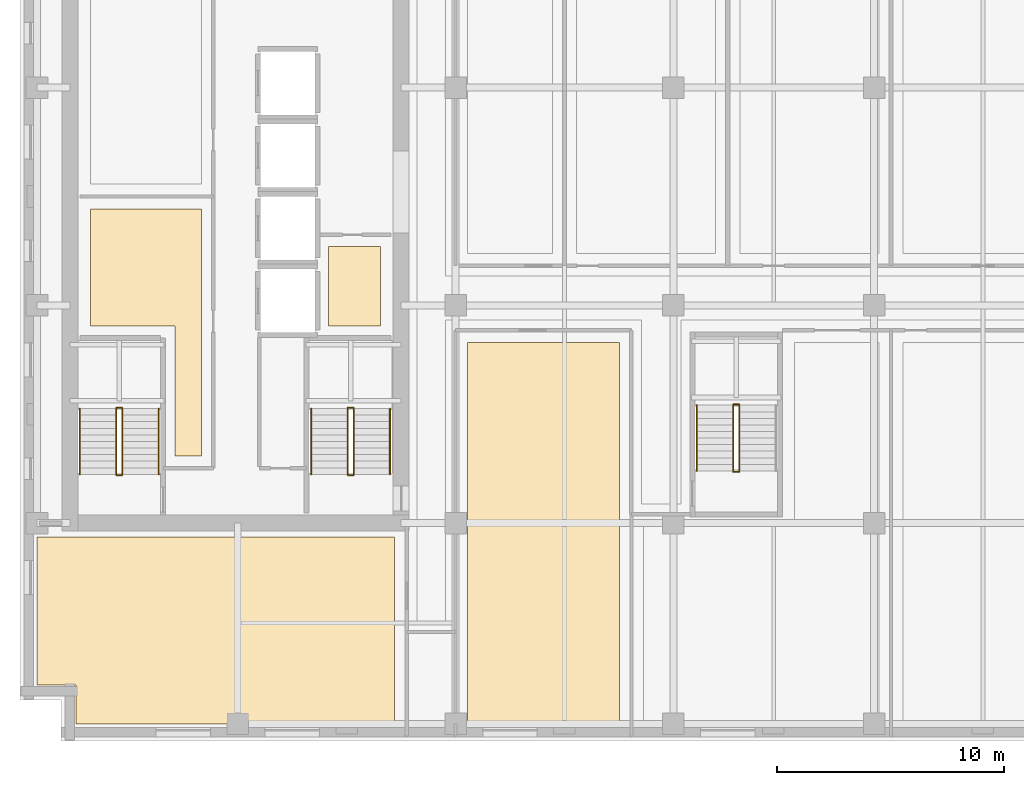
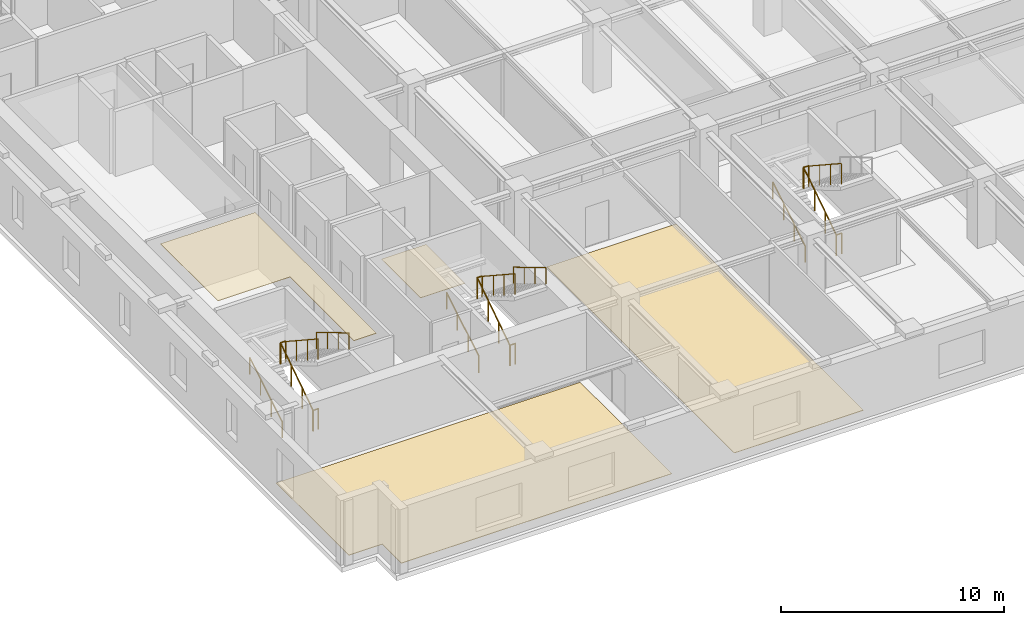
# One storey, part 9 of 13: 17 railings, 4 coverings.
"""IFC4 building model written with IfcOpenShell, lengths in metres."""

from ifc_helpers import new_model, si_unit, direction, frame, origin, origin_2d, place, context, subcontext, project, spatial, polyline, circle, outline, extrude, material, layer, layer_set, type_object, element, save


model = new_model("IFC4")

# Units and contexts
model_context = context("Model", 3, precision=1e-05, world=origin(), true_north=direction((0.0, 1.0)))
body_context = subcontext(model_context, "Body", "Model", "MODEL_VIEW")
ifc_project = project(units=[si_unit("LENGTHUNIT", "METRE"), si_unit("AREAUNIT", "SQUARE_METRE"), si_unit("VOLUMEUNIT", "CUBIC_METRE"), si_unit("PLANEANGLEUNIT", "RADIAN"), si_unit("MASSUNIT", "GRAM", prefix="KILO")], contexts=[model_context])

# Site, building, storey
site_placement = place(None, origin())
site = spatial("IfcSite", under=ifc_project, at=site_placement, CompositionType="ELEMENT")
building_placement = place(site_placement, origin())
building = spatial("IfcBuilding", under=site, at=building_placement, Name="Norrvale University Quadrangle", CompositionType="ELEMENT")
storey_placement = place(building_placement, frame((0.0, 0.0, 178.800048828125)))
storey = spatial("IfcBuildingStorey", under=building, at=storey_placement, Name="L45", CompositionType="ELEMENT", Elevation=178.800048828125)

# Coverings
ifc_material_1 = material(Name="Perforated Acoustic Mineral Ceiling")
ifc_layer_1 = layer(ifc_material_1, 0.02490234375, Name="Perforated Acoustic Mineral Ceiling")
ifc_layer_set_1 = layer_set([ifc_layer_1], Name="Perforated Acoustic Mineral Ceiling")
covering_type_1 = type_object("IfcCoveringType", Name="Covering Acoustic Ceiling 25", PredefinedType="CEILING", material=ifc_layer_set_1)
covering_1_placement = place(storey_placement, frame((0.0, 0.0, 3.514892578125)))
element("IfcCovering", 1, at=covering_1_placement, inside=storey, type_object=covering_type_1, Name="Acoustic Ceiling RM-L45-REC1", PredefinedType="CEILING", context=body_context, shape_type="SweptSolid", body=[
    extrude(outline(polyline([(3.10009765625, 18.300048828125), (3.10009765625, 23.449951171875), (8.0, 23.449951171875), (8.0, 12.550048828125), (6.830078125, 12.550048828125), (6.830078125, 18.300048828125), (3.10009765625, 18.300048828125)])), origin(), (0.0, 0.0, 1.0), 0.025146484375),
])
ifc_material_2 = material(Name="Polished Terrazzo Flooring")
ifc_layer_2 = layer(ifc_material_2, 0.02490234375, Name="Polished Terrazzo Flooring")
ifc_layer_set_2 = layer_set([ifc_layer_2], Name="Polished Terrazzo Flooring")
covering_type_2 = type_object("IfcCoveringType", Name="Covering Terrazzo Floor 30", PredefinedType="FLOORING", material=ifc_layer_set_2)
covering_2_placement = place(storey_placement, origin())
element("IfcCovering", 2, at=covering_2_placement, inside=storey, type_object=covering_type_2, Name="Terrazzo Flooring RM-L45-JAN", PredefinedType="FLOORING", context=body_context, shape_type="SweptSolid", body=[
    extrude(outline(polyline([(13.60009765625, 18.300048828125), (13.60009765625, 21.800048828125), (15.89990234375, 21.800048828125), (15.89990234375, 18.300048828125), (13.60009765625, 18.300048828125)])), origin(), (0.0, 0.0, 1.0), 0.02490234375),
])
covering_3_placement = place(storey_placement, origin())
element("IfcCovering", 3, at=covering_3_placement, inside=storey, type_object=covering_type_2, Name="Terrazzo Flooring RM-L45-SW1", PredefinedType="FLOORING", context=body_context, shape_type="SweptSolid", body=[
    extrude(outline(polyline([(0.75, 9.0), (16.5, 9.0), (16.5, 0.75), (2.469970703125, 0.75), (2.469970703125, 2.469970703125), (0.75, 2.469970703125), (0.75, 9.0)])), origin(), (0.0, 0.0, 1.0), 0.02490234375),
])
covering_4_placement = place(storey_placement, origin())
element("IfcCovering", 4, at=covering_4_placement, inside=storey, type_object=covering_type_2, Name="Terrazzo Flooring RM-L45-SE1", PredefinedType="FLOORING", context=body_context, shape_type="SweptSolid", body=[
    extrude(outline(polyline([(19.72998046875, 17.570068359375), (26.419921875, 17.570068359375), (26.419921875, 0.75), (19.72998046875, 0.75), (19.72998046875, 17.570068359375)])), origin(), (0.0, 0.0, 1.0), 0.02490234375),
])

# Railings
ifc_material_3 = material(Name="Steel 350W Painted Balustrade", Category="steel")
railing_type_1 = type_object("IfcRailingType", Name="Railing Stair Guard 1100", PredefinedType="GUARDRAIL", material=ifc_material_3)
for number, where, name in (
    (5, (4.239990234375, 11.719970703125, 0.0), "Stair Floor Well Guard ST-01 L45"),
    (6, (4.239990234375, 14.679931640625, 1.89990234375), "Stair Mid-Landing Slot Guard ST-01 L45"),
):
    element("IfcRailing", number, at=place(storey_placement, frame(where)), inside=storey, type_object=railing_type_1, Name=name, PredefinedType="GUARDRAIL", context=body_context, shape_type="SweptSolid", body=[
        extrude(circle(Radius=0.02392578125, at=origin_2d()), frame((0.0, 0.0, 1.1259765625), z_axis=(1.0, 0.0, 0.0), x_axis=(0.0, 1.0, 0.0)), (0.0, 0.0, 1.0), 0.27001953125),
        extrude(circle(Radius=0.02099609375, at=origin_2d()), origin(), (0.0, 0.0, 1.0), 1.101806640625),
        extrude(circle(Radius=0.02099609375, at=origin_2d()), frame((0.27001953125, 0.0, 0.0)), (0.0, 0.0, 1.0), 1.101806640625),
    ])
railing_1_placement = place(storey_placement, frame((4.239990234375, 11.75, 0.0)))
element("IfcRailing", 7, at=railing_1_placement, inside=storey, type_object=railing_type_1, Name="Stair Lower Flight Inner Guard ST-01 L45", PredefinedType="GUARDRAIL", context=body_context, shape_type="SweptSolid", body=[
    extrude(circle(Radius=0.02392578125, at=origin_2d()), frame((0.0, 0.0, 1.1259765625), z_axis=(0.0, 0.836465582154, 0.548019461216), x_axis=(-1.0, 0.0, 0.0)), (0.0, 0.0, 1.0), 3.466796875),
    extrude(circle(Radius=0.02099609375, at=origin_2d()), origin(), (0.0, 0.0, 1.0), 1.101806640625),
    extrude(circle(Radius=0.02099609375, at=origin_2d()), frame((0.0, 0.966552734375, 0.63330078125)), (0.0, 0.0, 1.0), 1.101806640625),
    extrude(circle(Radius=0.02099609375, at=origin_2d()), frame((0.0, 1.933349609375, 1.2666015625)), (0.0, 0.0, 1.0), 1.101806640625),
    extrude(circle(Radius=0.02099609375, at=origin_2d()), frame((0.0, 2.89990234375, 1.89990234375)), (0.0, 0.0, 1.0), 1.101806640625),
])
railing_2_placement = place(storey_placement, frame((4.510009765625, 14.64990234375, 1.89990234375)))
element("IfcRailing", 8, at=railing_2_placement, inside=storey, type_object=railing_type_1, Name="Stair Upper Flight Inner Guard ST-01 L45", PredefinedType="GUARDRAIL", context=body_context, shape_type="SweptSolid", body=[
    extrude(circle(Radius=0.02392578125, at=origin_2d()), frame((0.0, 0.0, 1.1259765625), z_axis=(0.0, -0.836433300813, 0.548068730445), x_axis=(1.0, 0.0, 0.0)), (0.0, 0.0, 1.0), 3.467041015625),
    extrude(circle(Radius=0.02099609375, at=origin_2d()), origin(), (0.0, 0.0, 1.0), 1.101806640625),
    extrude(circle(Radius=0.02099609375, at=origin_2d()), frame((0.0, -0.966552734375, 0.63330078125)), (0.0, 0.0, 1.0), 1.101806640625),
    extrude(circle(Radius=0.02099609375, at=origin_2d()), frame((0.0, -1.933349609375, 1.266845703125)), (0.0, 0.0, 1.0), 1.101806640625),
    extrude(circle(Radius=0.02099609375, at=origin_2d()), frame((0.0, -2.89990234375, 1.900146484375)), (0.0, 0.0, 1.0), 1.101806640625),
])
for number, where, name in (
    (9, (14.43994140625, 11.719970703125, 0.0), "Stair Floor Well Guard ST-03 L45"),
    (10, (14.43994140625, 14.679931640625, 1.89990234375), "Stair Mid-Landing Slot Guard ST-03 L45"),
):
    element("IfcRailing", number, at=place(storey_placement, frame(where)), inside=storey, type_object=railing_type_1, Name=name, PredefinedType="GUARDRAIL", context=body_context, shape_type="SweptSolid", body=[
        extrude(circle(Radius=0.02392578125, at=origin_2d()), frame((0.0, 0.0, 1.1259765625), z_axis=(1.0, 0.0, 0.0), x_axis=(0.0, 1.0, 0.0)), (0.0, 0.0, 1.0), 0.27001953125),
        extrude(circle(Radius=0.02099609375, at=origin_2d()), origin(), (0.0, 0.0, 1.0), 1.101806640625),
        extrude(circle(Radius=0.02099609375, at=origin_2d()), frame((0.27001953125, 0.0, 0.0)), (0.0, 0.0, 1.0), 1.101806640625),
    ])
railing_3_placement = place(storey_placement, frame((14.43994140625, 11.75, 0.0)))
element("IfcRailing", 11, at=railing_3_placement, inside=storey, type_object=railing_type_1, Name="Stair Lower Flight Inner Guard ST-03 L45", PredefinedType="GUARDRAIL", context=body_context, shape_type="SweptSolid", body=[
    extrude(circle(Radius=0.02392578125, at=origin_2d()), frame((0.0, 0.0, 1.1259765625), z_axis=(0.0, 0.836465582154, 0.548019461216), x_axis=(-1.0, 0.0, 0.0)), (0.0, 0.0, 1.0), 3.466796875),
    extrude(circle(Radius=0.02099609375, at=origin_2d()), origin(), (0.0, 0.0, 1.0), 1.101806640625),
    extrude(circle(Radius=0.02099609375, at=origin_2d()), frame((0.0, 0.966552734375, 0.63330078125)), (0.0, 0.0, 1.0), 1.101806640625),
    extrude(circle(Radius=0.02099609375, at=origin_2d()), frame((0.0, 1.933349609375, 1.2666015625)), (0.0, 0.0, 1.0), 1.101806640625),
    extrude(circle(Radius=0.02099609375, at=origin_2d()), frame((0.0, 2.89990234375, 1.89990234375)), (0.0, 0.0, 1.0), 1.101806640625),
])
railing_4_placement = place(storey_placement, frame((14.7099609375, 14.64990234375, 1.89990234375)))
element("IfcRailing", 12, at=railing_4_placement, inside=storey, type_object=railing_type_1, Name="Stair Upper Flight Inner Guard ST-03 L45", PredefinedType="GUARDRAIL", context=body_context, shape_type="SweptSolid", body=[
    extrude(circle(Radius=0.02392578125, at=origin_2d()), frame((0.0, 0.0, 1.1259765625), z_axis=(0.0, -0.836433300813, 0.548068730445), x_axis=(1.0, 0.0, 0.0)), (0.0, 0.0, 1.0), 3.467041015625),
    extrude(circle(Radius=0.02099609375, at=origin_2d()), origin(), (0.0, 0.0, 1.0), 1.101806640625),
    extrude(circle(Radius=0.02099609375, at=origin_2d()), frame((0.0, -0.966552734375, 0.63330078125)), (0.0, 0.0, 1.0), 1.101806640625),
    extrude(circle(Radius=0.02099609375, at=origin_2d()), frame((0.0, -1.933349609375, 1.266845703125)), (0.0, 0.0, 1.0), 1.101806640625),
    extrude(circle(Radius=0.02099609375, at=origin_2d()), frame((0.0, -2.89990234375, 1.900146484375)), (0.0, 0.0, 1.0), 1.101806640625),
])
for number, where, name in (
    (13, (31.43994140625, 11.8701171875, 0.0), "Stair Floor Well Guard ST-04 L45"),
    (14, (31.43994140625, 14.830078125, 1.89990234375), "Stair Mid-Landing Slot Guard ST-04 L45"),
):
    element("IfcRailing", number, at=place(storey_placement, frame(where)), inside=storey, type_object=railing_type_1, Name=name, PredefinedType="GUARDRAIL", context=body_context, shape_type="SweptSolid", body=[
        extrude(circle(Radius=0.02392578125, at=origin_2d()), frame((0.0, 0.0, 1.1259765625), z_axis=(1.0, 0.0, 0.0), x_axis=(0.0, 1.0, 0.0)), (0.0, 0.0, 1.0), 0.27001953125),
        extrude(circle(Radius=0.02099609375, at=origin_2d()), origin(), (0.0, 0.0, 1.0), 1.101806640625),
        extrude(circle(Radius=0.02099609375, at=origin_2d()), frame((0.27001953125, 0.0, 0.0)), (0.0, 0.0, 1.0), 1.101806640625),
    ])
railing_5_placement = place(storey_placement, frame((31.43994140625, 11.89990234375, 0.0)))
element("IfcRailing", 15, at=railing_5_placement, inside=storey, type_object=railing_type_1, Name="Stair Lower Flight Inner Guard ST-04 L45", PredefinedType="GUARDRAIL", context=body_context, shape_type="SweptSolid", body=[
    extrude(circle(Radius=0.02392578125, at=origin_2d()), frame((0.0, 0.0, 1.1259765625), z_axis=(0.0, 0.836486729621, 0.547987181573), x_axis=(-1.0, 0.0, 0.0)), (0.0, 0.0, 1.0), 3.467041015625),
    extrude(circle(Radius=0.02099609375, at=origin_2d()), origin(), (0.0, 0.0, 1.0), 1.101806640625),
    extrude(circle(Radius=0.02099609375, at=origin_2d()), frame((0.0, 0.966796875, 0.63330078125)), (0.0, 0.0, 1.0), 1.101806640625),
    extrude(circle(Radius=0.02099609375, at=origin_2d()), frame((0.0, 1.933349609375, 1.2666015625)), (0.0, 0.0, 1.0), 1.101806640625),
    extrude(circle(Radius=0.02099609375, at=origin_2d()), frame((0.0, 2.900146484375, 1.89990234375)), (0.0, 0.0, 1.0), 1.101806640625),
])
railing_6_placement = place(storey_placement, frame((31.7099609375, 14.800048828125, 1.89990234375)))
element("IfcRailing", 16, at=railing_6_placement, inside=storey, type_object=railing_type_1, Name="Stair Upper Flight Inner Guard ST-04 L45", PredefinedType="GUARDRAIL", context=body_context, shape_type="SweptSolid", body=[
    extrude(circle(Radius=0.02392578125, at=origin_2d()), frame((0.0, 0.0, 1.1259765625), z_axis=(0.0, -0.836454451266, 0.548036450392), x_axis=(1.0, 0.0, 0.0)), (0.0, 0.0, 1.0), 3.46728515625),
    extrude(circle(Radius=0.02099609375, at=origin_2d()), origin(), (0.0, 0.0, 1.0), 1.101806640625),
    extrude(circle(Radius=0.02099609375, at=origin_2d()), frame((0.0, -0.966796875, 0.63330078125)), (0.0, 0.0, 1.0), 1.101806640625),
    extrude(circle(Radius=0.02099609375, at=origin_2d()), frame((0.0, -1.933349609375, 1.266845703125)), (0.0, 0.0, 1.0), 1.101806640625),
    extrude(circle(Radius=0.02099609375, at=origin_2d()), frame((0.0, -2.900146484375, 1.900146484375)), (0.0, 0.0, 1.0), 1.101806640625),
])
ifc_material_4 = material(Name="Stainless Steel 316L Handrail", Category="steel")
railing_type_2 = type_object("IfcRailingType", Name="Railing Stair Handrail 920", PredefinedType="HANDRAIL", material=ifc_material_4)
railing_7_placement = place(storey_placement, frame((2.639892578125, 11.75, 0.172607421875)))
element("IfcRailing", 17, at=railing_7_placement, inside=storey, type_object=railing_type_2, Name="Stair Lower Flight Handrail ST-01 L45", PredefinedType="HANDRAIL", context=body_context, shape_type="SweptSolid", body=[
    extrude(circle(Radius=0.02392578125, at=origin_2d()), frame((0.0, 0.0, 0.89599609375), z_axis=(0.0, 0.859141464434, 0.511738159696), x_axis=(-1.0, 0.0, 0.0)), (0.0, 0.0, 1.0), 3.375244140625),
    extrude(circle(Radius=0.02099609375, at=origin_2d()), origin(), (0.0, 0.0, 1.0), 0.871826171875),
    extrude(circle(Radius=0.02099609375, at=origin_2d()), frame((0.0, 0.966552734375, 0.57568359375)), (0.0, 0.0, 1.0), 0.871826171875),
    extrude(circle(Radius=0.02099609375, at=origin_2d()), frame((0.0, 1.933349609375, 1.151611328125)), (0.0, 0.0, 1.0), 0.871826171875),
    extrude(circle(Radius=0.02099609375, at=origin_2d()), frame((0.0, 2.89990234375, 1.727294921875)), (0.0, 0.0, 1.0), 0.871826171875),
])
railing_8_placement = place(storey_placement, frame((6.110107421875, 14.64990234375, 2.07275390625)))
element("IfcRailing", 18, at=railing_8_placement, inside=storey, type_object=railing_type_2, Name="Stair Upper Flight Handrail ST-01 L45", PredefinedType="HANDRAIL", context=body_context, shape_type="SweptSolid", body=[
    extrude(circle(Radius=0.02392578125, at=origin_2d()), frame((0.0, 0.0, 0.89599609375), z_axis=(0.0, -0.859141464434, 0.511738159696), x_axis=(1.0, 0.0, 0.0)), (0.0, 0.0, 1.0), 3.375244140625),
    extrude(circle(Radius=0.02099609375, at=origin_2d()), origin(), (0.0, 0.0, 1.0), 0.871826171875),
    extrude(circle(Radius=0.02099609375, at=origin_2d()), frame((0.0, -0.966552734375, 0.57568359375)), (0.0, 0.0, 1.0), 0.871826171875),
    extrude(circle(Radius=0.02099609375, at=origin_2d()), frame((0.0, -1.933349609375, 1.151611328125)), (0.0, 0.0, 1.0), 0.871826171875),
    extrude(circle(Radius=0.02099609375, at=origin_2d()), frame((0.0, -2.89990234375, 1.727294921875)), (0.0, 0.0, 1.0), 0.871826171875),
])
railing_9_placement = place(storey_placement, frame((12.840087890625, 11.75, 0.172607421875)))
element("IfcRailing", 19, at=railing_9_placement, inside=storey, type_object=railing_type_2, Name="Stair Lower Flight Handrail ST-03 L45", PredefinedType="HANDRAIL", context=body_context, shape_type="SweptSolid", body=[
    extrude(circle(Radius=0.02392578125, at=origin_2d()), frame((0.0, 0.0, 0.89599609375), z_axis=(0.0, 0.859141464434, 0.511738159696), x_axis=(-1.0, 0.0, 0.0)), (0.0, 0.0, 1.0), 3.375244140625),
    extrude(circle(Radius=0.02099609375, at=origin_2d()), origin(), (0.0, 0.0, 1.0), 0.871826171875),
    extrude(circle(Radius=0.02099609375, at=origin_2d()), frame((0.0, 0.966552734375, 0.57568359375)), (0.0, 0.0, 1.0), 0.871826171875),
    extrude(circle(Radius=0.02099609375, at=origin_2d()), frame((0.0, 1.933349609375, 1.151611328125)), (0.0, 0.0, 1.0), 0.871826171875),
    extrude(circle(Radius=0.02099609375, at=origin_2d()), frame((0.0, 2.89990234375, 1.727294921875)), (0.0, 0.0, 1.0), 0.871826171875),
])
railing_10_placement = place(storey_placement, frame((16.31005859375, 14.64990234375, 2.07275390625)))
element("IfcRailing", 20, at=railing_10_placement, inside=storey, type_object=railing_type_2, Name="Stair Upper Flight Handrail ST-03 L45", PredefinedType="HANDRAIL", context=body_context, shape_type="SweptSolid", body=[
    extrude(circle(Radius=0.02392578125, at=origin_2d()), frame((0.0, 0.0, 0.89599609375), z_axis=(0.0, -0.859141464434, 0.511738159696), x_axis=(1.0, 0.0, 0.0)), (0.0, 0.0, 1.0), 3.375244140625),
    extrude(circle(Radius=0.02099609375, at=origin_2d()), origin(), (0.0, 0.0, 1.0), 0.871826171875),
    extrude(circle(Radius=0.02099609375, at=origin_2d()), frame((0.0, -0.966552734375, 0.57568359375)), (0.0, 0.0, 1.0), 0.871826171875),
    extrude(circle(Radius=0.02099609375, at=origin_2d()), frame((0.0, -1.933349609375, 1.151611328125)), (0.0, 0.0, 1.0), 0.871826171875),
    extrude(circle(Radius=0.02099609375, at=origin_2d()), frame((0.0, -2.89990234375, 1.727294921875)), (0.0, 0.0, 1.0), 0.871826171875),
])
railing_11_placement = place(storey_placement, frame((29.840087890625, 11.89990234375, 0.172607421875)))
element("IfcRailing", 21, at=railing_11_placement, inside=storey, type_object=railing_type_2, Name="Stair Lower Flight Handrail ST-04 L45", PredefinedType="HANDRAIL", context=body_context, shape_type="SweptSolid", body=[
    extrude(circle(Radius=0.02392578125, at=origin_2d()), frame((0.0, 0.0, 0.89599609375), z_axis=(0.0, 0.859160404282, 0.51170636083), x_axis=(-1.0, 0.0, 0.0)), (0.0, 0.0, 1.0), 3.37548828125),
    extrude(circle(Radius=0.02099609375, at=origin_2d()), origin(), (0.0, 0.0, 1.0), 0.871826171875),
    extrude(circle(Radius=0.02099609375, at=origin_2d()), frame((0.0, 0.966796875, 0.57568359375)), (0.0, 0.0, 1.0), 0.871826171875),
    extrude(circle(Radius=0.02099609375, at=origin_2d()), frame((0.0, 1.933349609375, 1.151611328125)), (0.0, 0.0, 1.0), 0.871826171875),
    extrude(circle(Radius=0.02099609375, at=origin_2d()), frame((0.0, 2.900146484375, 1.727294921875)), (0.0, 0.0, 1.0), 0.871826171875),
])

save(model, "model.ifc")
